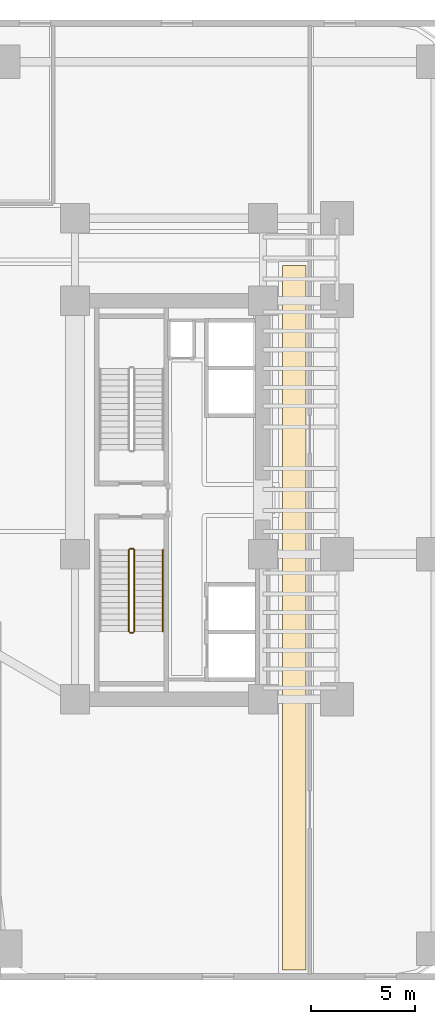
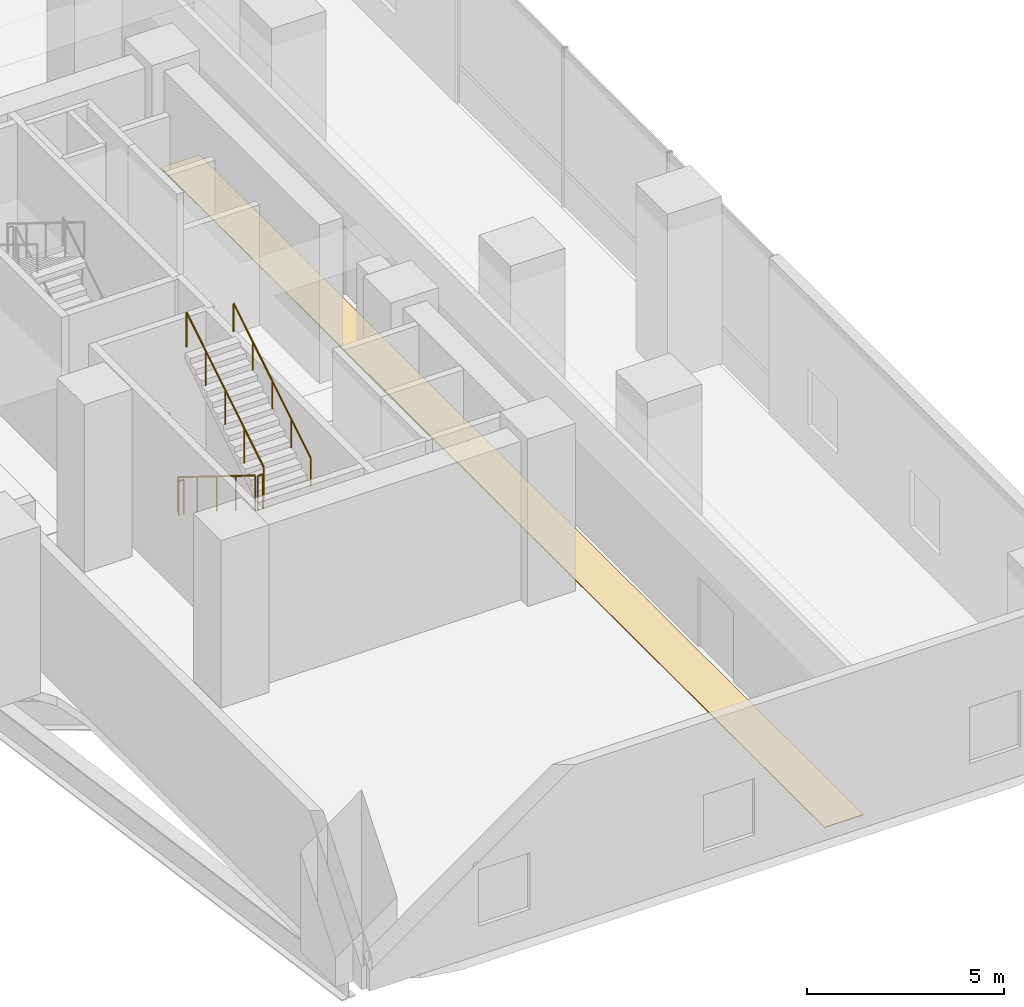
# One storey, part 35 of 39: 5 railings, 1 covering.
"""IFC4 building model written with IfcOpenShell, lengths in metres."""

from ifc_helpers import new_model, si_unit, direction, frame, origin, origin_2d, place, context, subcontext, project, spatial, polyline, circle, outline, extrude, material, layer, layer_set, type_object, element, save


model = new_model("IFC4")

# Units and contexts
model_context = context("Model", 3, precision=1e-05, world=origin(), true_north=direction((0.0, 1.0)))
body_context = subcontext(model_context, "Body", "Model", "MODEL_VIEW")
ifc_project = project(units=[si_unit("LENGTHUNIT", "METRE"), si_unit("AREAUNIT", "SQUARE_METRE"), si_unit("VOLUMEUNIT", "CUBIC_METRE"), si_unit("PLANEANGLEUNIT", "RADIAN"), si_unit("MASSUNIT", "GRAM", prefix="KILO")], contexts=[model_context])

# Site, building, storey
site_placement = place(None, origin())
site = spatial("IfcSite", under=ifc_project, at=site_placement, CompositionType="ELEMENT")
building_placement = place(site_placement, origin())
building = spatial("IfcBuilding", under=site, at=building_placement, Name="Valdorenza Pilgrim Sanctuary Tower", CompositionType="ELEMENT")
storey_placement = place(building_placement, frame((0.0, 0.0, 5.199951171875)))
storey = spatial("IfcBuildingStorey", under=building, at=storey_placement, Name="L01", CompositionType="ELEMENT", Elevation=5.199951171875)

# Covering
ifc_material_1 = material(Name="Honed travertine stone flooring", Category="masonry")
ifc_layer = layer(ifc_material_1, 0.030029296875, Name="Honed travertine stone flooring")
ifc_layer_set = layer_set([ifc_layer], Name="Honed travertine stone flooring")
covering_type = type_object("IfcCoveringType", Name="COV-FLR-TRV", PredefinedType="FLOORING", material=ifc_layer_set)
covering_placement = place(storey_placement, origin())
element("IfcCovering", 1, at=covering_placement, inside=storey, type_object=covering_type, Name="L01 L01 Podium East Corridor Flooring", PredefinedType="FLOORING", context=body_context, shape_type="SweptSolid", body=[
    extrude(outline(polyline([(25.780029296875, -22.52001953125), (25.780029296875, -0.846923828125), (25.780029296875, -0.8466796875), (25.780029296875, -0.8466796875), (25.78173828125, -0.8291015625), (25.78173828125, -0.828857421875), (25.781982421875, -0.820068359375), (25.781982421875, 0.820068359375), (25.780029296875, 11.238037109375), (26.91796875, 11.238037109375), (26.91796875, -22.52001953125), (25.780029296875, -22.52001953125)])), origin(), (0.0, 0.0, 1.0), 0.025146484375),
])

# Railings
ifc_material_2 = material(Name="Stainless steel Grade 316", Category="steel")
railing_type_1 = type_object("IfcRailingType", Name="RLG-GRD-1120", PredefinedType="GUARDRAIL", material=ifc_material_2)
railing_1_placement = place(storey_placement, frame((18.429931640625, -2.3798828125, 0.17333984375)))
element("IfcRailing", 2, at=railing_1_placement, inside=storey, type_object=railing_type_1, Name="L01 ST-B2 stair guard 1", PredefinedType="GUARDRAIL", context=body_context, shape_type="SweptSolid", body=[
    extrude(circle(Radius=0.02392578125, at=origin_2d()), frame((0.0, 0.0, 1.076171875), z_axis=(0.0, -0.850266275192, 0.526352791643), x_axis=(1.0, 0.0, 0.0)), (0.0, 0.0, 1.0), 4.610595703125),
    extrude(circle(Radius=0.02099609375, at=origin_2d()), origin(), (0.0, 0.0, 1.0), 1.052001953125),
    extrude(circle(Radius=0.02099609375, at=origin_2d()), frame((0.0, -0.97998046875, 0.606689453125)), (0.0, 0.0, 1.0), 1.052001953125),
    extrude(circle(Radius=0.02099609375, at=origin_2d()), frame((0.0, -1.9599609375, 1.21337890625)), (0.0, 0.0, 1.0), 1.052001953125),
    extrude(circle(Radius=0.02099609375, at=origin_2d()), frame((0.0, -2.940185546875, 1.820068359375)), (0.0, 0.0, 1.0), 1.052001953125),
    extrude(circle(Radius=0.02099609375, at=origin_2d()), frame((0.0, -3.920166015625, 2.4267578125)), (0.0, 0.0, 1.0), 1.052001953125),
])
railing_2_placement = place(storey_placement, frame((18.47998046875, -6.35009765625, 2.60009765625)))
element("IfcRailing", 3, at=railing_2_placement, inside=storey, type_object=railing_type_1, Name="L01 ST-B2 stair guard 2", PredefinedType="GUARDRAIL", context=body_context, shape_type="SweptSolid", body=[
    extrude(circle(Radius=0.02392578125, at=origin_2d()), frame((0.0, 0.0, 1.076171875), z_axis=(1.0, 0.0, 0.0), x_axis=(0.0, 1.0, 0.0)), (0.0, 0.0, 1.0), 0.14990234375),
    extrude(circle(Radius=0.02099609375, at=origin_2d()), origin(), (0.0, 0.0, 1.0), 1.052001953125),
    extrude(circle(Radius=0.02099609375, at=origin_2d()), frame((0.14990234375, 0.0, 0.0)), (0.0, 0.0, 1.0), 1.052001953125),
])
railing_3_placement = place(storey_placement, frame((18.679931640625, -6.300048828125, 2.7734375)))
element("IfcRailing", 4, at=railing_3_placement, inside=storey, type_object=railing_type_1, Name="L01 ST-B2 stair guard 3", PredefinedType="GUARDRAIL", context=body_context, shape_type="SweptSolid", body=[
    extrude(circle(Radius=0.02392578125, at=origin_2d()), frame((0.0, 0.0, 1.076171875), z_axis=(0.0, 0.850289973577, 0.526314507528), x_axis=(-1.0, 0.0, 0.0)), (0.0, 0.0, 1.0), 4.6103515625),
    extrude(circle(Radius=0.02099609375, at=origin_2d()), origin(), (0.0, 0.0, 1.0), 1.052001953125),
    extrude(circle(Radius=0.02099609375, at=origin_2d()), frame((0.0, 0.97998046875, 0.606689453125)), (0.0, 0.0, 1.0), 1.052001953125),
    extrude(circle(Radius=0.02099609375, at=origin_2d()), frame((0.0, 1.9599609375, 1.21337890625)), (0.0, 0.0, 1.0), 1.052001953125),
    extrude(circle(Radius=0.02099609375, at=origin_2d()), frame((0.0, 2.940185546875, 1.81982421875)), (0.0, 0.0, 1.0), 1.052001953125),
    extrude(circle(Radius=0.02099609375, at=origin_2d()), frame((0.0, 3.920166015625, 2.426513671875)), (0.0, 0.0, 1.0), 1.052001953125),
])
railing_4_placement = place(storey_placement, frame((18.47998046875, -2.330078125, 0.0)))
element("IfcRailing", 5, at=railing_4_placement, inside=storey, type_object=railing_type_1, Name="L01 ST-B2 stair guard 4", PredefinedType="GUARDRAIL", context=body_context, shape_type="SweptSolid", body=[
    extrude(circle(Radius=0.02392578125, at=origin_2d()), frame((0.0, 0.0, 1.076171875), z_axis=(1.0, 0.0, 0.0), x_axis=(0.0, 1.0, 0.0)), (0.0, 0.0, 1.0), 0.14990234375),
    extrude(circle(Radius=0.02099609375, at=origin_2d()), origin(), (0.0, 0.0, 1.0), 1.052001953125),
    extrude(circle(Radius=0.02099609375, at=origin_2d()), frame((0.14990234375, 0.0, 0.0)), (0.0, 0.0, 1.0), 1.052001953125),
])
ifc_material_3 = material(Name="Brushed stainless steel Grade 316", Category="steel")
railing_type_2 = type_object("IfcRailingType", Name="RLG-HND-920", PredefinedType="HANDRAIL", material=ifc_material_3)
railing_5_placement = place(storey_placement, frame((20.06005859375, -6.300048828125, 2.7734375)))
element("IfcRailing", 6, at=railing_5_placement, inside=storey, type_object=railing_type_2, Name="L01 ST-B2 stair handrail 2", PredefinedType="HANDRAIL", context=body_context, shape_type="SweptSolid", body=[
    extrude(circle(Radius=0.02392578125, at=origin_2d()), frame((0.0, 0.0, 0.8759765625), z_axis=(0.0, 0.850289973577, 0.526314507528), x_axis=(-1.0, 0.0, 0.0)), (0.0, 0.0, 1.0), 4.6103515625),
    extrude(circle(Radius=0.02099609375, at=origin_2d()), origin(), (0.0, 0.0, 1.0), 0.851806640625),
    extrude(circle(Radius=0.02099609375, at=origin_2d()), frame((0.0, 0.97998046875, 0.606689453125)), (0.0, 0.0, 1.0), 0.851806640625),
    extrude(circle(Radius=0.02099609375, at=origin_2d()), frame((0.0, 1.9599609375, 1.21337890625)), (0.0, 0.0, 1.0), 0.851806640625),
    extrude(circle(Radius=0.02099609375, at=origin_2d()), frame((0.0, 2.940185546875, 1.81982421875)), (0.0, 0.0, 1.0), 0.851806640625),
    extrude(circle(Radius=0.02099609375, at=origin_2d()), frame((0.0, 3.920166015625, 2.426513671875)), (0.0, 0.0, 1.0), 0.851806640625),
])

save(model, "model.ifc")
